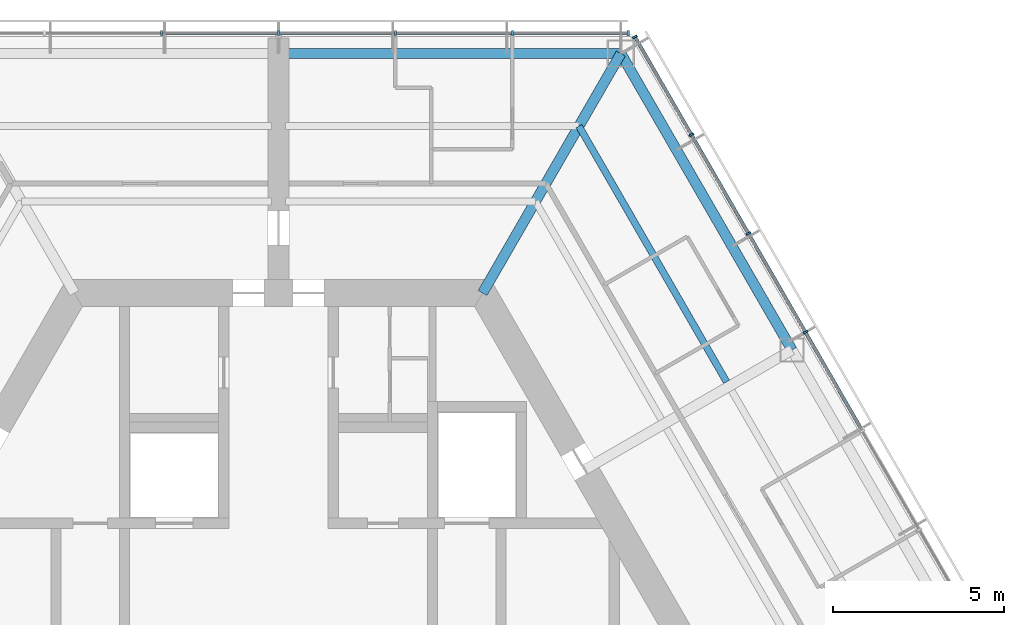
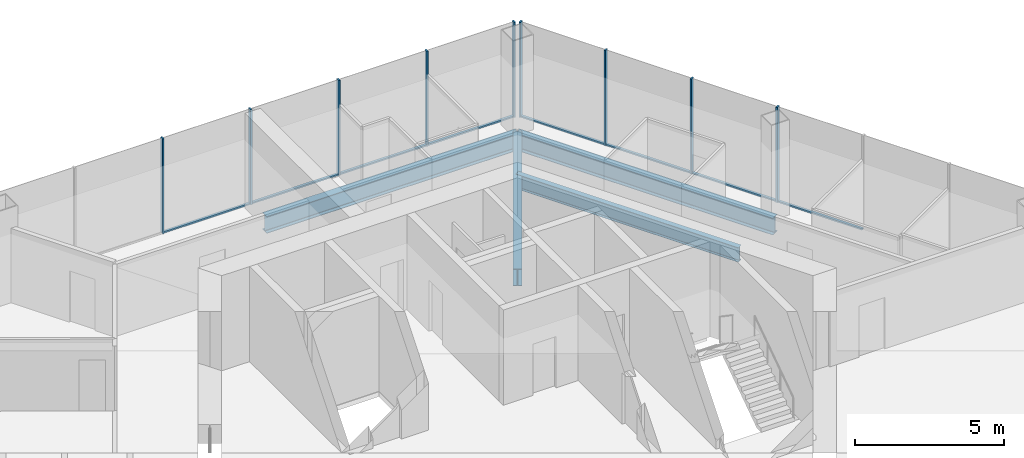
# One storey, part 7 of 17: 17 members, 4 beams, 2 elements without a shape of their own.
"""IFC4 building model written with IfcOpenShell, lengths in metres."""

from ifc_helpers import new_model, si_unit, direction, frame, origin, origin_2d, place, context, subcontext, project, spatial, rectangle, i_section, extrude, material, material_profile, profile_set, type_object, element, aggregate, save


model = new_model("IFC4")

# Units and contexts
model_context = context("Model", 3, precision=1e-05, world=origin(), true_north=direction((0.0, 1.0)))
body_context = subcontext(model_context, "Body", "Model", "MODEL_VIEW")
ifc_project = project(units=[si_unit("LENGTHUNIT", "METRE"), si_unit("AREAUNIT", "SQUARE_METRE"), si_unit("VOLUMEUNIT", "CUBIC_METRE"), si_unit("PLANEANGLEUNIT", "RADIAN"), si_unit("MASSUNIT", "GRAM", prefix="KILO")], contexts=[model_context])

# Site, building, storey
site_placement = place(None, origin())
site = spatial("IfcSite", under=ifc_project, at=site_placement, CompositionType="ELEMENT")
building_placement = place(site_placement, origin())
building = spatial("IfcBuilding", under=site, at=building_placement, Name="Kasaneha Research Tower", CompositionType="ELEMENT")
storey_placement = place(building_placement, frame((0.0, 0.0, 224.5)))
storey = spatial("IfcBuildingStorey", under=building, at=storey_placement, Name="L56", CompositionType="ELEMENT", Elevation=224.5)

# Beam
ifc_material_1 = material(Name="Steel SN490B", Category="steel")
ifc_material_profile_1 = material_profile(ifc_material_1, i_section(OverallWidth=0.199951171875, OverallDepth=0.60009765625, WebThickness=0.010986328125, FlangeThickness=0.01708984375, FilletRadius=0.012939453125, at=origin_2d()), Name="H-600x200x11x17")
ifc_profile_set_1 = profile_set([ifc_material_profile_1], Name="Steel SN490B")
beam_type_1 = type_object("IfcBeamType", Name="B1-3 secondary beam H-600x200x11x17", PredefinedType="JOIST", material=ifc_profile_set_1)
beam_1_placement = place(storey_placement, frame((8.775634765625, 15.199951171875, -0.449951171875), z_axis=(0.500017275495, -0.866015429543, 0.0), x_axis=(0.866015429543, 0.500017275495, 0.0)))
element("IfcBeam", 1, at=beam_1_placement, inside=storey, type_object=beam_type_1, Name="Secondary beam RS030R2 L56", PredefinedType="JOIST", context=body_context, shape_type="SweptSolid", body=[
    extrude(i_section(OverallWidth=0.199951171875, OverallDepth=0.60009765625, WebThickness=0.010986328125, FlangeThickness=0.01708984375, FilletRadius=0.012939453125, at=origin_2d()), origin(), (0.0, 0.0, 1.0), 8.625732421875),
])

# Curtain wall, members
ifc_material_2 = material(Name="Glass and aluminium", Category="aluminium")
curtain_wall_type = type_object("IfcCurtainWallType", Name="High-rise office curtain wall", PredefinedType="USERDEFINED", material=ifc_material_2)
curtain_wall_1_placement = place(storey_placement, origin())
curtain_wall_1 = element("IfcCurtainWall", 2, at=curtain_wall_1_placement, inside=storey, type_object=curtain_wall_type, Name="CW-O3 L56 run 01a", ObjectType="UNITISED CURTAIN WALL", PredefinedType="USERDEFINED")
ifc_material_3 = material(Name="Aluminium 6063-T6", Category="aluminium")
ifc_material_profile_2 = material_profile(ifc_material_3, rectangle(XDim=0.06005859375, YDim=0.139892578125, at=origin_2d()), Name="CW-O3 mullion 60x140")
ifc_profile_set_2 = profile_set([ifc_material_profile_2], Name="Aluminium 6063-T6")
member_type_1 = type_object("IfcMemberType", Name="CW-O3 mullion", PredefinedType="MULLION", material=ifc_profile_set_2)
member_1_placement = place(storey_placement, frame((15.392822265625, 9.179931640625, 0.0), z_axis=(0.0, 0.0, 1.0), x_axis=(-0.499999979232, 0.866025415775, 0.0)))
member_1 = element("IfcMember", 3, at=member_1_placement, type_object=member_type_1, Name="CW-O3 mullion 4", PredefinedType="MULLION", context=body_context, shape_type="SweptSolid", body=[
    extrude(rectangle(XDim=0.06005859375, YDim=0.139892578125, at=origin_2d()), origin(), (0.0, 0.0, 1.0), 3.89990234375),
])
member_2_placement = place(storey_placement, frame((13.727294921875, 12.064453125, 0.0), z_axis=(0.0, 0.0, 1.0), x_axis=(-0.499999979232, 0.866025415775, 0.0)))
member_2 = element("IfcMember", 4, at=member_2_placement, type_object=member_type_1, Name="CW-O3 mullion 5", PredefinedType="MULLION", context=body_context, shape_type="SweptSolid", body=[
    extrude(rectangle(XDim=0.06005859375, YDim=0.139892578125, at=origin_2d()), origin(), (0.0, 0.0, 1.0), 3.89990234375),
])
member_3_placement = place(storey_placement, frame((12.061767578125, 14.94921875, 0.0), z_axis=(0.0, 0.0, 1.0), x_axis=(-0.499999979232, 0.866025415775, 0.0)))
member_3 = element("IfcMember", 5, at=member_3_placement, type_object=member_type_1, Name="CW-O3 mullion 6", PredefinedType="MULLION", context=body_context, shape_type="SweptSolid", body=[
    extrude(rectangle(XDim=0.06005859375, YDim=0.139892578125, at=origin_2d()), origin(), (0.0, 0.0, 1.0), 3.89990234375),
])
member_4_placement = place(storey_placement, frame((10.411376953125, 17.807861328125, 0.0), z_axis=(0.0, 0.0, 1.0), x_axis=(-0.499999979232, 0.866025415775, 0.0)))
member_4 = element("IfcMember", 6, at=member_4_placement, type_object=member_type_1, Name="CW-O3 mullion 7", PredefinedType="MULLION", context=body_context, shape_type="SweptSolid", body=[
    extrude(rectangle(XDim=0.06005859375, YDim=0.139892578125, at=origin_2d()), origin(), (0.0, 0.0, 1.0), 3.89990234375),
])

curtain_wall_2_placement = place(storey_placement, origin())
curtain_wall_2 = element("IfcCurtainWall", 7, at=curtain_wall_2_placement, inside=storey, type_object=curtain_wall_type, Name="CW-O3 L56 run 02a", ObjectType="UNITISED CURTAIN WALL", PredefinedType="USERDEFINED")
member_5_placement = place(storey_placement, frame((10.21630859375, 17.92041015625, 0.0), z_axis=(0.0, 0.0, 1.0), x_axis=(-1.0, 0.0, 0.0)))
member_5 = element("IfcMember", 8, at=member_5_placement, type_object=member_type_1, Name="CW-O3 mullion 1", PredefinedType="MULLION", context=body_context, shape_type="SweptSolid", body=[
    extrude(rectangle(XDim=0.06005859375, YDim=0.139892578125, at=origin_2d()), origin(), (0.0, 0.0, 1.0), 3.89990234375),
])
member_6_placement = place(storey_placement, frame((6.8310546875, 17.92041015625, 0.0), z_axis=(0.0, 0.0, 1.0), x_axis=(-1.0, 0.0, 0.0)))
member_6 = element("IfcMember", 9, at=member_6_placement, type_object=member_type_1, Name="CW-O3 mullion 2", PredefinedType="MULLION", context=body_context, shape_type="SweptSolid", body=[
    extrude(rectangle(XDim=0.06005859375, YDim=0.139892578125, at=origin_2d()), origin(), (0.0, 0.0, 1.0), 3.89990234375),
])
member_7_placement = place(storey_placement, frame((3.41552734375, 17.92041015625, 0.0), z_axis=(0.0, 0.0, 1.0), x_axis=(-1.0, 0.0, 0.0)))
member_7 = element("IfcMember", 10, at=member_7_placement, type_object=member_type_1, Name="CW-O3 mullion 3", PredefinedType="MULLION", context=body_context, shape_type="SweptSolid", body=[
    extrude(rectangle(XDim=0.06005859375, YDim=0.139892578125, at=origin_2d()), origin(), (0.0, 0.0, 1.0), 3.89990234375),
])
member_8_placement = place(storey_placement, frame((0.0, 17.92041015625, 0.0), z_axis=(0.0, 0.0, 1.0), x_axis=(-1.0, 0.0, 0.0)))
member_8 = element("IfcMember", 11, at=member_8_placement, type_object=member_type_1, Name="CW-O3 mullion 4", PredefinedType="MULLION", context=body_context, shape_type="SweptSolid", body=[
    extrude(rectangle(XDim=0.06005859375, YDim=0.139892578125, at=origin_2d()), origin(), (0.0, 0.0, 1.0), 3.89990234375),
])
member_9_placement = place(storey_placement, frame((-3.41552734375, 17.92041015625, 0.0), z_axis=(0.0, 0.0, 1.0), x_axis=(-1.0, 0.0, 0.0)))
member_9 = element("IfcMember", 12, at=member_9_placement, type_object=member_type_1, Name="CW-O3 mullion 5", PredefinedType="MULLION", context=body_context, shape_type="SweptSolid", body=[
    extrude(rectangle(XDim=0.06005859375, YDim=0.139892578125, at=origin_2d()), origin(), (0.0, 0.0, 1.0), 3.89990234375),
])

# Member
ifc_material_4 = material(Name="Aluminium 6063-T6", Category="aluminium")
ifc_material_profile_3 = material_profile(ifc_material_4, rectangle(XDim=0.10009765625, YDim=0.06005859375, at=origin_2d()), Name="CW-O3 transom 100x60")
ifc_profile_set_3 = profile_set([ifc_material_profile_3], Name="Aluminium 6063-T6")
member_type_2 = type_object("IfcMemberType", Name="CW-O3 transom", PredefinedType="USERDEFINED", material=ifc_profile_set_3)
member_10_placement = place(storey_placement, frame((17.043212890625, 6.3212890625, 0.030029296875), z_axis=(-0.50003259116, 0.866006586452, 0.0), x_axis=(-0.866006586452, -0.50003259116, 0.0)))
member_10 = element("IfcMember", 13, at=member_10_placement, type_object=member_type_2, Name="CW-O3 transom 3", ObjectType="TRANSOM", PredefinedType="USERDEFINED", context=body_context, shape_type="SweptSolid", body=[
    extrude(rectangle(XDim=0.10009765625, YDim=0.06005859375, at=origin_2d()), origin(), (0.0, 0.0, 1.0), 3.270751953125),
])

member_11_placement = place(storey_placement, frame((15.3779296875, 9.205810546875, 0.030029296875), z_axis=(-0.500000270186, 0.866025247793, 0.0), x_axis=(-0.866025247793, -0.500000270186, 0.0)))
member_11 = element("IfcMember", 14, at=member_11_placement, type_object=member_type_2, Name="CW-O3 transom 4", ObjectType="TRANSOM", PredefinedType="USERDEFINED", context=body_context, shape_type="SweptSolid", body=[
    extrude(rectangle(XDim=0.10009765625, YDim=0.06005859375, at=origin_2d()), origin(), (0.0, 0.0, 1.0), 3.27099609375),
])

member_12_placement = place(storey_placement, frame((13.71240234375, 12.090576171875, 0.030029296875), z_axis=(-0.500000270186, 0.866025247793, 0.0), x_axis=(-0.866025247793, -0.500000270186, 0.0)))
member_12 = element("IfcMember", 15, at=member_12_placement, type_object=member_type_2, Name="CW-O3 transom 5", ObjectType="TRANSOM", PredefinedType="USERDEFINED", context=body_context, shape_type="SweptSolid", body=[
    extrude(rectangle(XDim=0.10009765625, YDim=0.06005859375, at=origin_2d()), origin(), (0.0, 0.0, 1.0), 3.27099609375),
])

member_13_placement = place(storey_placement, frame((12.046875, 14.97509765625, 0.030029296875), z_axis=(-0.499955025697, 0.866051368154, 0.0), x_axis=(-0.866051368154, -0.499955025697, 0.0)))
member_13 = element("IfcMember", 16, at=member_13_placement, type_object=member_type_2, Name="CW-O3 transom 6", ObjectType="TRANSOM", PredefinedType="USERDEFINED", context=body_context, shape_type="SweptSolid", body=[
    extrude(rectangle(XDim=0.10009765625, YDim=0.06005859375, at=origin_2d()), origin(), (0.0, 0.0, 1.0), 3.240966796875),
])

aggregate(curtain_wall_1, [member_1, member_2, member_3, member_4, member_10, member_11, member_12, member_13])

member_14_placement = place(storey_placement, frame((10.1865234375, 17.92041015625, 0.030029296875), z_axis=(-1.0, 0.0, 0.0), x_axis=(0.0, -1.0, 0.0)))
member_14 = element("IfcMember", 17, at=member_14_placement, type_object=member_type_2, Name="CW-O3 transom 1", ObjectType="TRANSOM", PredefinedType="USERDEFINED", context=body_context, shape_type="SweptSolid", body=[
    extrude(rectangle(XDim=0.10009765625, YDim=0.06005859375, at=origin_2d()), origin(), (0.0, 0.0, 1.0), 3.32568359375),
])

member_15_placement = place(storey_placement, frame((6.801025390625, 17.92041015625, 0.030029296875), z_axis=(-1.0, 0.0, 0.0), x_axis=(0.0, -1.0, 0.0)))
member_15 = element("IfcMember", 18, at=member_15_placement, type_object=member_type_2, Name="CW-O3 transom 2", ObjectType="TRANSOM", PredefinedType="USERDEFINED", context=body_context, shape_type="SweptSolid", body=[
    extrude(rectangle(XDim=0.10009765625, YDim=0.06005859375, at=origin_2d()), origin(), (0.0, 0.0, 1.0), 3.35546875),
])

member_16_placement = place(storey_placement, frame((3.385498046875, 17.92041015625, 0.030029296875), z_axis=(-1.0, 0.0, 0.0), x_axis=(0.0, -1.0, 0.0)))
member_16 = element("IfcMember", 19, at=member_16_placement, type_object=member_type_2, Name="CW-O3 transom 3", ObjectType="TRANSOM", PredefinedType="USERDEFINED", context=body_context, shape_type="SweptSolid", body=[
    extrude(rectangle(XDim=0.10009765625, YDim=0.06005859375, at=origin_2d()), origin(), (0.0, 0.0, 1.0), 3.35546875),
])

member_17_placement = place(storey_placement, frame((-0.030029296875, 17.92041015625, 0.030029296875), z_axis=(-1.0, 0.0, 0.0), x_axis=(0.0, -1.0, 0.0)))
member_17 = element("IfcMember", 20, at=member_17_placement, type_object=member_type_2, Name="CW-O3 transom 4", ObjectType="TRANSOM", PredefinedType="USERDEFINED", context=body_context, shape_type="SweptSolid", body=[
    extrude(rectangle(XDim=0.10009765625, YDim=0.06005859375, at=origin_2d()), origin(), (0.0, 0.0, 1.0), 3.35546875),
])

aggregate(curtain_wall_2, [member_5, member_6, member_7, member_8, member_9, member_14, member_15, member_16, member_17])

# Beams
ifc_material_5 = material(Name="Steel SN490B", Category="steel")
ifc_material_profile_4 = material_profile(ifc_material_5, i_section(OverallWidth=0.300048828125, OverallDepth=0.699951171875, WebThickness=0.012939453125, FlangeThickness=0.02392578125, FilletRadius=0.01806640625, at=origin_2d()), Name="H-700x300x13x24")
ifc_profile_set_4 = profile_set([ifc_material_profile_4], Name="Steel SN490B")
beam_type_2 = type_object("IfcBeamType", Name="G1-3 radial girder H-700x300x13x24", PredefinedType="BEAM", material=ifc_profile_set_4)
beam_2_placement = place(storey_placement, frame((5.961181640625, 10.324951171875, -0.5), z_axis=(0.49999105496, 0.866030568144, 0.0), x_axis=(-0.866030568144, 0.49999105496, 0.0)))
element("IfcBeam", 21, at=beam_2_placement, inside=storey, type_object=beam_type_2, Name="Radial girder RV060 L56", PredefinedType="BEAM", context=body_context, shape_type="SweptSolid", body=[
    extrude(i_section(OverallWidth=0.300048828125, OverallDepth=0.699951171875, WebThickness=0.012939453125, FlangeThickness=0.02392578125, FilletRadius=0.01806640625, at=origin_2d()), origin(), (0.0, 0.0, 1.0), 8.077880859375),
])
ifc_material_6 = material(Name="Steel SN490B", Category="steel")
ifc_material_profile_5 = material_profile(ifc_material_6, i_section(OverallWidth=0.300048828125, OverallDepth=0.69189453125, WebThickness=0.012939453125, FlangeThickness=0.02001953125, FilletRadius=0.01806640625, at=origin_2d()), Name="H-692x300x13x20")
ifc_profile_set_5 = profile_set([ifc_material_profile_5], Name="Steel SN490B")
beam_type_3 = type_object("IfcBeamType", Name="G3-3 plate edge girder H-692x300x13x20", PredefinedType="BEAM", material=ifc_profile_set_5)
beam_3_placement = place(storey_placement, frame((10.0, 17.320556640625, -0.49609375), z_axis=(-1.0, 0.0, 0.0), x_axis=(0.0, -1.0, 0.0)))
element("IfcBeam", 22, at=beam_3_placement, inside=storey, type_object=beam_type_3, Name="Plate edge girder PEAP L56", PredefinedType="BEAM", context=body_context, shape_type="SweptSolid", body=[
    extrude(i_section(OverallWidth=0.300048828125, OverallDepth=0.69189453125, WebThickness=0.012939453125, FlangeThickness=0.02001953125, FilletRadius=0.01806640625, at=origin_2d()), origin(), (0.0, 0.0, 1.0), 9.800048828125),
])
ifc_material_7 = material(Name="Steel SN490B", Category="steel")
ifc_material_profile_6 = material_profile(ifc_material_7, i_section(OverallWidth=0.300048828125, OverallDepth=0.69189453125, WebThickness=0.012939453125, FlangeThickness=0.02001953125, FilletRadius=0.01806640625, at=origin_2d()), Name="H-692x300x13x20")
ifc_profile_set_6 = profile_set([ifc_material_profile_6], Name="Steel SN490B")
beam_type_4 = type_object("IfcBeamType", Name="SB1-3 spandrel beam H-692x300x13x20", PredefinedType="SPANDREL", material=ifc_profile_set_6)
beam_4_placement = place(storey_placement, frame((10.0, 17.320556640625, -0.49609375), z_axis=(0.499993662806, -0.866029062534, 0.0), x_axis=(0.866029062534, 0.499993662806, 0.0)))
element("IfcBeam", 23, at=beam_4_placement, inside=storey, type_object=beam_type_4, Name="Spandrel beam SR030R L56", PredefinedType="SPANDREL", context=body_context, shape_type="SweptSolid", body=[
    extrude(i_section(OverallWidth=0.300048828125, OverallDepth=0.69189453125, WebThickness=0.012939453125, FlangeThickness=0.02001953125, FilletRadius=0.01806640625, at=origin_2d()), origin(), (0.0, 0.0, 1.0), 10.000244140625),
])

save(model, "model.ifc")
